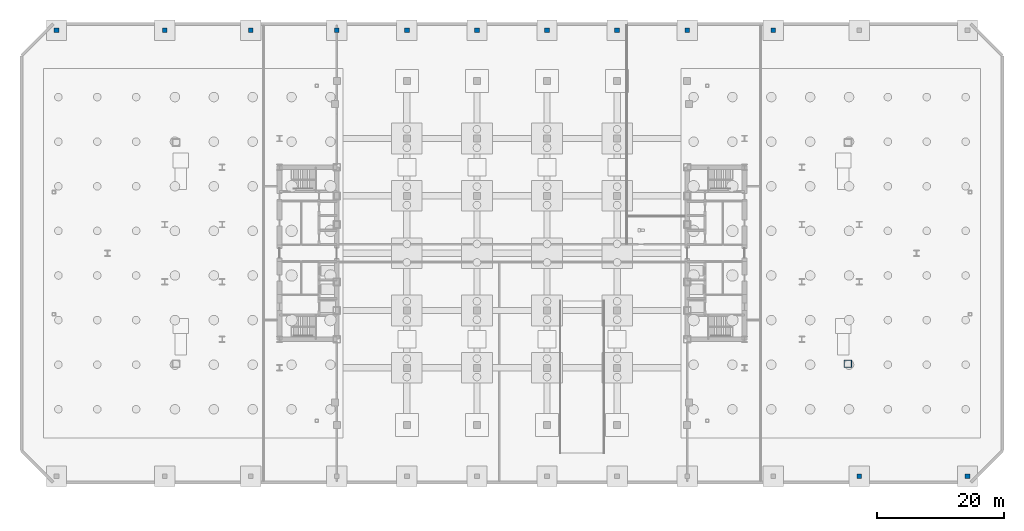
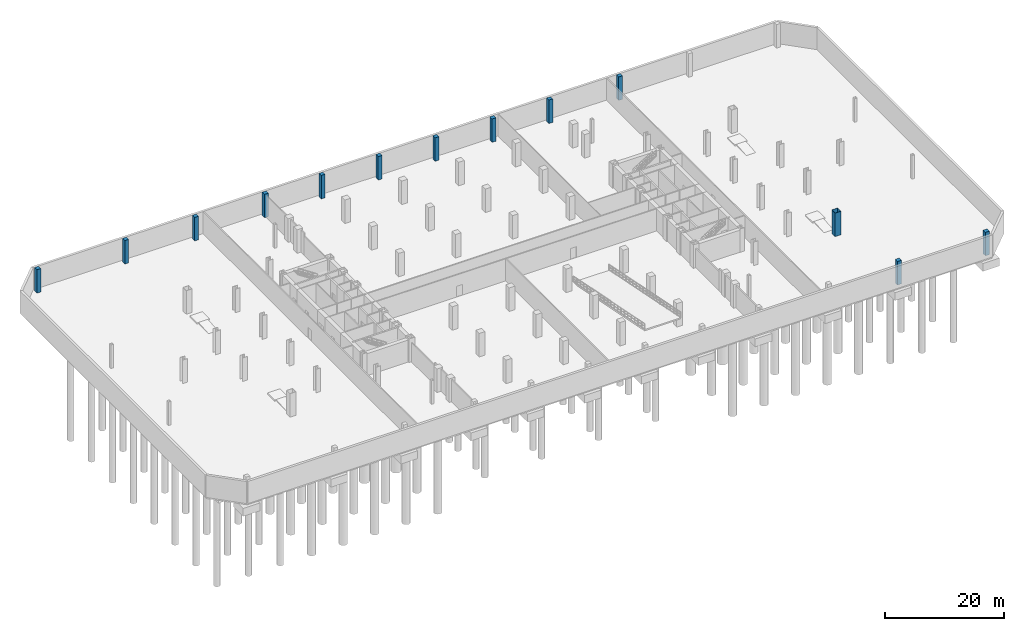
# One storey, part 7 of 18: 13 columns.
"""IFC4 building model written with IfcOpenShell, lengths in metres."""

import ifcopenshell
import ifcopenshell.guid

model = None  # the IFC model being written
_history = None  # IfcOwnerHistory: only IFC2X3 demands one
_inside = {}  # id of a spatial element -> (the spatial element, [elements in it])
_under = {}  # id of a project, library or spatial element -> (it, [spatial elements below it])
_declared = {}  # id of a project -> (the project, [libraries it declares])
_typed = {}  # id of a type object -> (the type object, [elements of that type])
_made_of = {}  # id of a material, layer set ... -> (it, [elements and type objects made of it])


def new_model(schema):
    """Start an empty IFC model of exactly this schema.

    Asked for "IFC4X3", IfcOpenShell would pick the latest addendum, in which some entities
    have other attributes; the version numbers below select the first issue.
    IFC2X3 requires an IfcOwnerHistory on every rooted entity: one is made here for all.
    """
    global model, _history
    if schema == "IFC4X3":
        model = ifcopenshell.file(schema_version=(4, 3, 0, 0))
    else:
        model = ifcopenshell.file(schema=schema)
    _inside.clear()
    _under.clear()
    _declared.clear()
    _typed.clear()
    _made_of.clear()
    _history = None
    if model.schema == "IFC2X3":
        org = make("IfcOrganization", Name="unknown")
        user = make(
            "IfcPersonAndOrganization",
            ThePerson=make("IfcPerson", FamilyName="unknown"),
            TheOrganization=org,
        )
        app = make(
            "IfcApplication",
            ApplicationDeveloper=org,
            Version="unknown",
            ApplicationFullName="unknown",
            ApplicationIdentifier="unknown",
        )
        _history = make(
            "IfcOwnerHistory",
            OwningUser=user,
            OwningApplication=app,
            ChangeAction="ADDED",
            CreationDate=0,
        )
    return model


def make(cls, **values):
    """One entity of the class cls with the attributes given. An attribute that is None is left unset."""
    return model.create_entity(
        cls, **{name: value for name, value in values.items() if value is not None}
    )


def rooted(cls, **values):
    """An entity with a GlobalId (a new one), such as an element, a storey or a relation."""
    return make(cls, GlobalId=ifcopenshell.guid.new(), OwnerHistory=_history, **values)


def si_unit(unit_type, name, prefix=None):
    """IfcSIUnit, for example si_unit("LENGTHUNIT", "METRE", prefix="MILLI")."""
    return make("IfcSIUnit", UnitType=unit_type, Prefix=prefix, Name=name)


def assignment(units):
    """IfcUnitAssignment: the units of a project."""
    return None if units is None else make("IfcUnitAssignment", Units=units)


def point(xyz):
    """IfcCartesianPoint."""
    return None if xyz is None else make("IfcCartesianPoint", Coordinates=xyz)


def direction(xyz):
    """IfcDirection."""
    return None if xyz is None else make("IfcDirection", DirectionRatios=xyz)


def frame(location, z_axis=None, x_axis=None):
    """IfcAxis2Placement3D, a coordinate frame: its origin and axes. An axis left out is left unset."""
    return make(
        "IfcAxis2Placement3D",
        Location=point(location),
        Axis=direction(z_axis),
        RefDirection=direction(x_axis),
    )


def frame_2d(location, x_axis=None):
    """IfcAxis2Placement2D, a coordinate frame in the plane: its origin and x axis."""
    return make(
        "IfcAxis2Placement2D", Location=point(location), RefDirection=direction(x_axis)
    )


def origin():
    """The frame at (0, 0, 0) with its axes left unset."""
    return frame((0.0, 0.0, 0.0))


def origin_2d():
    """The frame at (0, 0) in the plane with its x axis left unset."""
    return frame_2d((0.0, 0.0))


def place(relative_to, where):
    """IfcLocalPlacement: puts the frame where relative to a parent placement (None: the world)."""
    return make(
        "IfcLocalPlacement", PlacementRelTo=relative_to, RelativePlacement=where
    )


def context(
    kind, dimensions, precision=None, world=None, true_north=None, identifier=None
):
    """IfcGeometricRepresentationContext, for example the 3D "Model" context."""
    return make(
        "IfcGeometricRepresentationContext",
        ContextIdentifier=identifier,
        ContextType=kind,
        CoordinateSpaceDimension=dimensions,
        Precision=precision,
        WorldCoordinateSystem=world,
        TrueNorth=true_north,
    )


def subcontext(parent, identifier, kind, view, scale=None):
    """IfcGeometricRepresentationSubContext, for example "Body" below "Model"."""
    return make(
        "IfcGeometricRepresentationSubContext",
        ContextIdentifier=identifier,
        ContextType=kind,
        ParentContext=parent,
        TargetScale=scale,
        TargetView=view,
    )


def project(units=None, contexts=None):
    """IfcProject with its units and contexts."""
    return rooted(
        "IfcProject",
        Name="project",
        RepresentationContexts=contexts,
        UnitsInContext=assignment(units),
    )


def spatial(cls, under=None, at=None, **own):
    """A site, building, storey or space (cls), placed at a placement, below another one or the project."""
    s = rooted(cls, ObjectPlacement=at, **own)
    if under is not None:
        _under.setdefault(under.id(), (under, []))[1].append(s)
    return s


def profile(cls, at=None, kind="AREA", **sizes):
    """A parametric profile (cls). Its sizes go by their IFC names, for example OverallWidth=200.0."""
    return make(cls, ProfileType=kind, Position=at, **sizes)


def rectangle(**sizes):
    """IfcRectangleProfileDef."""
    return profile("IfcRectangleProfileDef", **sizes)


def hollow_rectangle(**sizes):
    """IfcRectangleHollowProfileDef."""
    return profile("IfcRectangleHollowProfileDef", **sizes)


def extrude(swept, where, along, depth):
    """IfcExtrudedAreaSolid: the profile swept, set in the frame where, extruded along a direction by depth."""
    return make(
        "IfcExtrudedAreaSolid",
        SweptArea=swept,
        Position=where,
        ExtrudedDirection=direction(along),
        Depth=depth,
    )


def shape(context_of_items, identifier, shape_type, items):
    """IfcShapeRepresentation: the items that make up one representation, for example the "Body"."""
    return make(
        "IfcShapeRepresentation",
        ContextOfItems=context_of_items,
        RepresentationIdentifier=identifier,
        RepresentationType=shape_type,
        Items=items,
    )


def source(mapping_origin, context_of_items, identifier, shape_type, items):
    """IfcRepresentationMap: a shape defined once, which mapped items show again and again."""
    return make(
        "IfcRepresentationMap",
        MappingOrigin=mapping_origin,
        MappedRepresentation=shape(context_of_items, identifier, shape_type, items),
    )


def transform(
    local_origin,
    x_axis=None,
    y_axis=None,
    z_axis=None,
    scale=None,
    scale2=None,
    scale3=None,
    uniform=True,
):
    """IfcCartesianTransformationOperator3D, or its non-uniform kind. x_axis, y_axis, z_axis: its Axis1, 2, 3."""
    if uniform:
        return make(
            "IfcCartesianTransformationOperator3D",
            Axis1=direction(x_axis),
            Axis2=direction(y_axis),
            LocalOrigin=point(local_origin),
            Scale=scale,
            Axis3=direction(z_axis),
        )
    return make(
        "IfcCartesianTransformationOperator3DnonUniform",
        Axis1=direction(x_axis),
        Axis2=direction(y_axis),
        LocalOrigin=point(local_origin),
        Scale=scale,
        Axis3=direction(z_axis),
        Scale2=scale2,
        Scale3=scale3,
    )


def mapped(mapping_source, mapping_target):
    """IfcMappedItem: shows the shape of a source again, moved by a transform."""
    return make(
        "IfcMappedItem", MappingSource=mapping_source, MappingTarget=mapping_target
    )


def material(Name=None, Category=None):
    """IfcMaterial."""
    return make("IfcMaterial", Name=Name, Category=Category)


def material_profile(
    of_material, cross_section, Name=None, Category=None, Priority=None
):
    """IfcMaterialProfile: a cross section and its material."""
    return make(
        "IfcMaterialProfile",
        Name=Name,
        Material=of_material,
        Profile=cross_section,
        Priority=Priority,
        Category=Category,
    )


def profile_set(profiles, Name=None, composite=None):
    """IfcMaterialProfileSet."""
    return make(
        "IfcMaterialProfileSet",
        Name=Name,
        MaterialProfiles=profiles,
        CompositeProfile=composite,
    )


def made_of(thing, what):
    """Note that an element or type object is made of a material, layer set ...; save() writes the relation."""
    if what is not None:
        _made_of.setdefault(what.id(), (what, []))[1].append(thing)
    return thing


def type_object(cls, material=None, **own):
    """A type object (cls), such as IfcWallType, which elements share."""
    return made_of(rooted(cls, **own), material)


def type_shapes(of_type, sources):
    """Give a type object the sources (RepresentationMaps) that its elements show as mapped items."""
    of_type.RepresentationMaps = sources


def element(
    cls,
    number,
    at=None,
    inside=None,
    cuts=None,
    type_object=None,
    material=None,
    context=None,
    identifier="Body",
    shape_type=None,
    held_by="IfcProductDefinitionShape",
    body=None,
    shapes=None,
    **own,
):
    """One element of the class cls, such as IfcWall. Its Tag is "e" and its number.

    at: its placement. inside: the storey or other place that contains it. cuts: it is an
    opening in that element (IfcRelVoidsElement). A single representation is given by context,
    identifier, shape_type and body (its items); several are given by shapes. held_by: the class
    of the entity that holds the representations. save() writes the other relations.
    """
    e = rooted(cls, Tag="e%d" % number, ObjectPlacement=at, **own)
    if body is not None:
        shapes = [shape(context, identifier, shape_type, body)]
    if shapes is not None:
        e.Representation = make(held_by, Representations=shapes)
    if inside is not None:
        _inside.setdefault(inside.id(), (inside, []))[1].append(e)
    if cuts is not None:
        rooted(
            "IfcRelVoidsElement", RelatingBuildingElement=cuts, RelatedOpeningElement=e
        )
    if type_object is not None:
        _typed.setdefault(type_object.id(), (type_object, []))[1].append(e)
    return made_of(e, material)


def aggregate(whole, parts):
    """IfcRelAggregates: a whole, such as a stair, and the parts it consists of."""
    return rooted("IfcRelAggregates", RelatingObject=whole, RelatedObjects=parts)


def save(model, path):
    """Write the relations noted so far, then the file.

    IfcRelAggregates (storeys below a building ...), IfcRelContainedInSpatialStructure (elements
    in a storey), IfcRelDefinesByType, IfcRelAssociatesMaterial and IfcRelDeclares: one each for
    every whole, place, type object, material and project.
    """
    for whole, parts in _under.values():
        aggregate(whole, parts)
    for where, things in _inside.values():
        rooted(
            "IfcRelContainedInSpatialStructure",
            RelatedElements=things,
            RelatingStructure=where,
        )
    for kind, things in _typed.values():
        rooted("IfcRelDefinesByType", RelatedObjects=things, RelatingType=kind)
    for what, things in _made_of.values():
        rooted("IfcRelAssociatesMaterial", RelatedObjects=things, RelatingMaterial=what)
    for by, libraries in _declared.values():
        rooted("IfcRelDeclares", RelatingContext=by, RelatedDefinitions=libraries)
    model.write(path)


model = new_model("IFC4")

# Units and contexts
model_context = context("Model", 3, precision=1e-05, world=origin(), true_north=direction((0.0, 1.0)))
body_context = subcontext(model_context, "Body", "Model", "MODEL_VIEW")
ifc_project = project(units=[si_unit("LENGTHUNIT", "METRE"), si_unit("AREAUNIT", "SQUARE_METRE"), si_unit("VOLUMEUNIT", "CUBIC_METRE"), si_unit("PLANEANGLEUNIT", "RADIAN"), si_unit("MASSUNIT", "GRAM", prefix="KILO")], contexts=[model_context])

# Site, building, storey
site_placement = place(None, origin())
site = spatial("IfcSite", under=ifc_project, at=site_placement, CompositionType="ELEMENT")
building_placement = place(site_placement, origin())
building = spatial("IfcBuilding", under=site, at=building_placement, Name="Seokmaru Belvedere", CompositionType="ELEMENT")
storey_placement = place(building_placement, frame((0.0, 0.0, -9.60009765625)))
storey = spatial("IfcBuildingStorey", under=building, at=storey_placement, Name="B2", CompositionType="ELEMENT", Elevation=-9.60009765625)

# Columns
ifc_material_1 = material(Name="Steel HSA650 (650 MPa)", Category="steel")
ifc_material_profile_1 = material_profile(ifc_material_1, hollow_rectangle(XDim=1.14990234375, YDim=1.14990234375, WallThickness=0.048095703125, at=origin_2d()), Name="BOX-1150x1150x48")
ifc_profile_set_1 = profile_set([ifc_material_profile_1], Name="Steel HSA650 (650 MPa)")
column_type_1 = type_object("IfcColumnType", Name="Portal Spine Column BOX-1150", PredefinedType="COLUMN", material=ifc_profile_set_1)
shared_shape_1 = source(origin(), body_context, "Body", "SweptSolid", [
    extrude(hollow_rectangle(XDim=1.14990234375, YDim=1.14990234375, WallThickness=0.048095703125, at=origin_2d()), origin(), (0.0, 0.0, 1.0), 4.800048828125),
])
type_shapes(column_type_1, [shared_shape_1])
column_placement = place(storey_placement, frame((52.715576171875, -17.360595703125, 0.0), z_axis=(0.0, 0.0, 1.0), x_axis=(1.0, 0.0, 0.0)))
element("IfcColumn", 1, at=column_placement, inside=storey, type_object=column_type_1, Name="B2 Column EFLK_S2", PredefinedType="COLUMN", context=body_context, shape_type="MappedRepresentation", body=[
    mapped(shared_shape_1, transform((0.0, 0.0, 0.0), scale=1.0)),
])
ifc_material_2 = material(Name="Concrete C50 (50 MPa)", Category="concrete")
ifc_material_profile_2 = material_profile(ifc_material_2, rectangle(XDim=0.75, YDim=0.75, at=origin_2d()), Name="RC-750x750")
ifc_profile_set_2 = profile_set([ifc_material_profile_2], Name="Concrete C50 (50 MPa)")
column_type_2 = type_object("IfcColumnType", Name="Plaza Substructure Pier Column RC-750", PredefinedType="COLUMN", material=ifc_profile_set_2)
shared_shape_2 = source(origin(), body_context, "Body", "SweptSolid", [
    extrude(rectangle(XDim=0.75, YDim=0.75, at=origin_2d()), origin(), (0.0, 0.0, 1.0), 4.800048828125),
])
type_shapes(column_type_2, [shared_shape_2])
for number, where, z_axis, x_axis, name in (
    (2, (-71.5, 35.0, 0.0), (0.0, 0.0, 1.0), (1.0, 0.0, 0.0), "B2 Column PLZ_N1"),
    (3, (-54.5, 35.0, 0.0), (0.0, 0.0, 1.0), (1.0, 0.0, 0.0), "B2 Column PLZ_N2"),
    (4, (-41.0, 35.0, 0.0), (0.0, 0.0, 1.0), (1.0, 0.0, 0.0), "B2 Column PLZ_N3"),
    (5, (-27.5, 35.0, 0.0), (0.0, 0.0, 1.0), (1.0, 0.0, 0.0), "B2 Column PLZ_N4"),
    (6, (-16.5, 35.0, 0.0), (0.0, 0.0, 1.0), (1.0, 0.0, 0.0), "B2 Column PLZ_N5"),
    (7, (-5.5, 35.0, 0.0), (0.0, 0.0, 1.0), (1.0, 0.0, 0.0), "B2 Column PLZ_N6"),
    (8, (5.5, 35.0, 0.0), (0.0, 0.0, 1.0), (1.0, 0.0, 0.0), "B2 Column PLZ_N7"),
    (9, (16.5, 35.0, 0.0), (0.0, 0.0, 1.0), (1.0, 0.0, 0.0), "B2 Column PLZ_N8"),
    (10, (27.5, 35.0, 0.0), (0.0, 0.0, 1.0), (1.0, 0.0, 0.0), "B2 Column PLZ_N9"),
    (11, (41.0, 35.0, 0.0), (0.0, 0.0, 1.0), (1.0, 0.0, 0.0), "B2 Column PLZ_N10"),
    (12, (54.5, -35.0, 0.0), (0.0, 0.0, 1.0), (1.0, 0.0, 0.0), "B2 Column PLZ_S11"),
    (13, (71.5, -35.0, 0.0), (0.0, 0.0, 1.0), (1.0, 0.0, 0.0), "B2 Column PLZ_S12"),
):
    element("IfcColumn", number, at=place(storey_placement, frame(where, z_axis=z_axis, x_axis=x_axis)), inside=storey, type_object=column_type_2, Name=name, PredefinedType="COLUMN", context=body_context, shape_type="MappedRepresentation", body=[
        mapped(shared_shape_2, transform((0.0, 0.0, 0.0), scale=1.0)),
    ])

save(model, "model.ifc")
